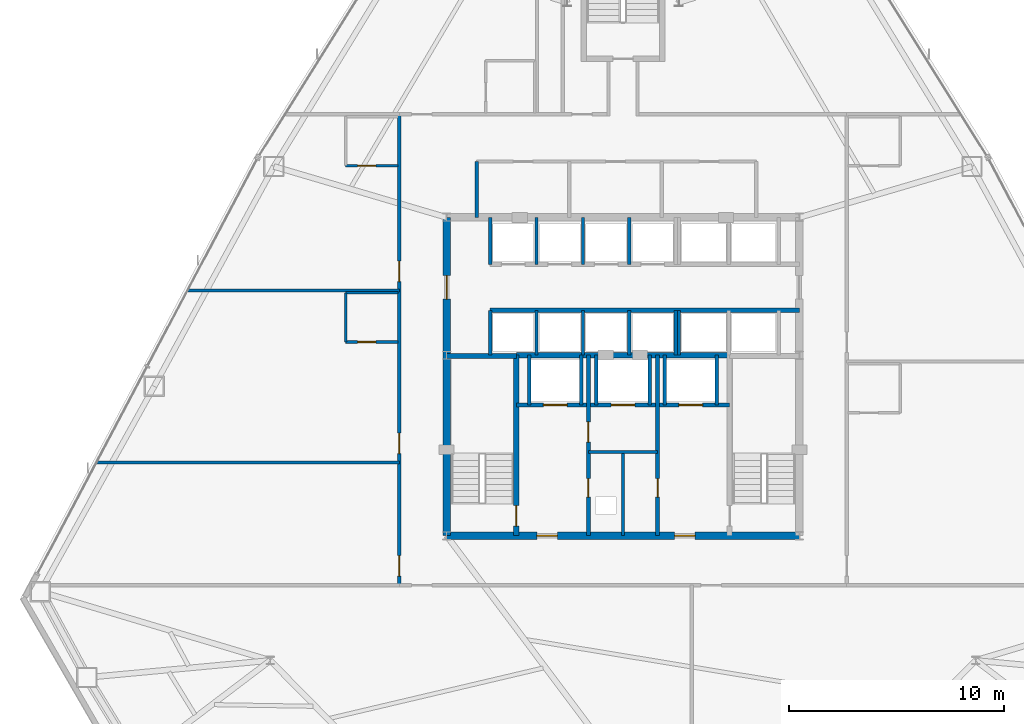
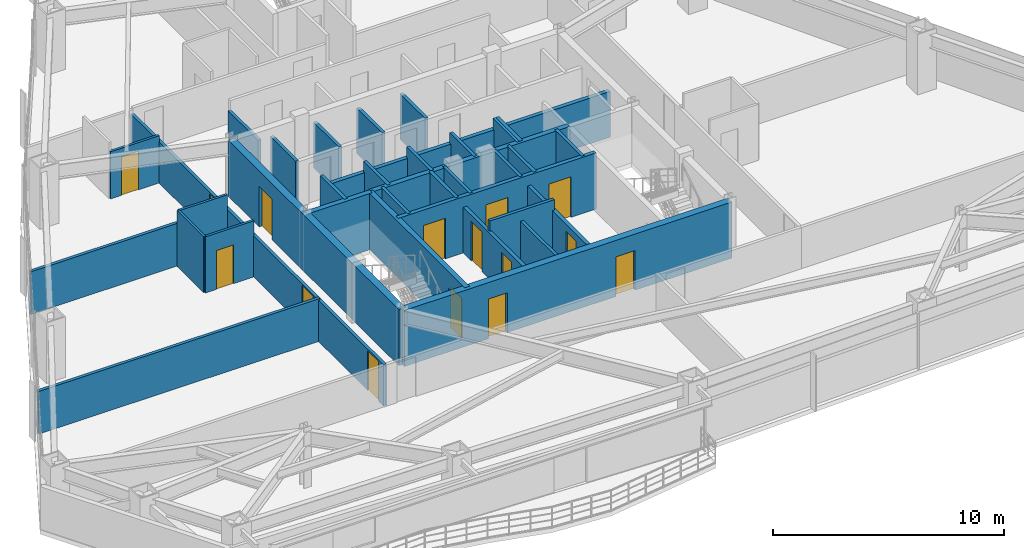
# One storey, part 9 of 13: 35 walls, 15 doors, 15 openings.
"""IFC4 building model written with IfcOpenShell, lengths in metres."""

from ifc_helpers import new_model, si_unit, direction, frame, frame_2d, origin, place, context, subcontext, project, spatial, rectangle, extrude, material, layer, layer_set, type_object, element, fill, save


model = new_model("IFC4")

# Units and contexts
model_context = context("Model", 3, precision=1e-05, world=origin(), true_north=direction((0.0, 1.0)))
body_context = subcontext(model_context, "Body", "Model", "MODEL_VIEW")
ifc_project = project(units=[si_unit("LENGTHUNIT", "METRE"), si_unit("AREAUNIT", "SQUARE_METRE"), si_unit("VOLUMEUNIT", "CUBIC_METRE"), si_unit("PLANEANGLEUNIT", "RADIAN"), si_unit("MASSUNIT", "GRAM", prefix="KILO")], contexts=[model_context])

# Site, building, storey
site_placement = place(None, origin())
site = spatial("IfcSite", under=ifc_project, at=site_placement, CompositionType="ELEMENT")
building_placement = place(site_placement, origin())
building = spatial("IfcBuilding", under=site, at=building_placement, Name="Varakhsha Concourse Tower", CompositionType="ELEMENT")
storey_placement = place(building_placement, frame((0.0, 0.0, 99.0)))
storey = spatial("IfcBuildingStorey", under=building, at=storey_placement, Name="L28", CompositionType="ELEMENT", Elevation=99.0)

# Wall, openings, doors
ifc_material_1 = material(Name="Concrete fc 65 MPa", Category="concrete")
ifc_layer_1 = layer(ifc_material_1, 0.35009765625, Name="WL-CORE-350")
ifc_layer_set_1 = layer_set([ifc_layer_1], Name="Concrete fc 65 MPa")
wall_type_1 = type_object("IfcWallType", Name="WL-CORE-350", PredefinedType="SHEAR", material=ifc_layer_set_1)
wall_1_placement = place(storey_placement, frame((31.800048828125, 16.39990234375, 0.0), z_axis=(0.0, 0.0, 1.0), x_axis=(1.0, 0.0, 0.0)))
wall_1 = element("IfcWall", 1, at=wall_1_placement, inside=storey, type_object=wall_type_1, Name="L28 Wall CWALL-S-L28", PredefinedType="SHEAR", context=body_context, shape_type="SweptSolid", body=[
    extrude(rectangle(XDim=16.39990234375, YDim=0.35009765625, at=frame_2d((8.199951171875, 0.0))), origin(), (0.0, 0.0, 1.0), 2.969970703125),
])
opening_1_placement = place(wall_1_placement, frame((4.199951171875, 0.0, 0.0)))
opening_1 = element("IfcOpeningElement", 2, at=opening_1_placement, cuts=wall_1, Name="Opening DF-05", PredefinedType="OPENING", context=body_context, shape_type="SweptSolid", body=[
    extrude(rectangle(XDim=0.949951171875, YDim=2.10009765625, at=frame_2d((0.47509765625, 1.050048828125))), frame((0.0, 0.18505859375, 0.0), z_axis=(0.0, -1.0, 0.0), x_axis=(1.0, 0.0, 0.0)), (0.0, 0.0, 1.0), 0.3701171875),
])
opening_2_placement = place(wall_1_placement, frame((10.60009765625, 0.0, 0.0)))
opening_2 = element("IfcOpeningElement", 3, at=opening_2_placement, cuts=wall_1, Name="Opening DF-05", PredefinedType="OPENING", context=body_context, shape_type="SweptSolid", body=[
    extrude(rectangle(XDim=0.949951171875, YDim=2.10009765625, at=frame_2d((0.47509765625, 1.050048828125))), frame((0.0, 0.18505859375, 0.0), z_axis=(0.0, -1.0, 0.0), x_axis=(1.0, 0.0, 0.0)), (0.0, 0.0, 1.0), 0.3701171875),
])
ifc_material_2 = material(Name="Hollow Galvanised Steel Fire Door Assembly", Category="steel")
door_type_1 = type_object("IfcDoorType", Name="DR-FD60-950", OperationType="NOTDEFINED", PredefinedType="DOOR", material=ifc_material_2)
door_1_placement = place(opening_1_placement, origin())
door_1 = element("IfcDoor", 4, at=door_1_placement, inside=storey, type_object=door_type_1, Name="L28 Firefighting Lobby West Door", OperationType="SINGLE_SWING_RIGHT", OverallHeight=2.10009765625, OverallWidth=0.949951171875, PredefinedType="DOOR", context=body_context, shape_type="SweptSolid", body=[
    extrude(rectangle(XDim=0.949951171875, YDim=2.10009765625, at=frame_2d((0.47509765625, 1.050048828125))), frame((0.0, 0.02490234375, 0.0), z_axis=(0.0, -1.0, 0.0), x_axis=(1.0, 0.0, 0.0)), (0.0, 0.0, 1.0), 0.050048828125),
])
fill(opening_1, door_1)
door_2_placement = place(opening_2_placement, origin())
door_2 = element("IfcDoor", 5, at=door_2_placement, inside=storey, type_object=door_type_1, Name="L28 Firefighting Lobby East Door", OperationType="SINGLE_SWING_LEFT", OverallHeight=2.10009765625, OverallWidth=0.949951171875, PredefinedType="DOOR", context=body_context, shape_type="SweptSolid", body=[
    extrude(rectangle(XDim=0.949951171875, YDim=2.10009765625, at=frame_2d((0.47509765625, 1.050048828125))), frame((0.0, 0.02490234375, 0.0), z_axis=(0.0, -1.0, 0.0), x_axis=(1.0, 0.0, 0.0)), (0.0, 0.0, 1.0), 0.050048828125),
])
fill(opening_2, door_2)

# Wall, opening, door
wall_2_placement = place(storey_placement, frame((31.800048828125, 16.39990234375, 0.0), z_axis=(0.0, 0.0, 1.0), x_axis=(0.0, 1.0, 0.0)))
wall_2 = element("IfcWall", 6, at=wall_2_placement, inside=storey, type_object=wall_type_1, Name="L28 Wall CWALL-W-L28", PredefinedType="SHEAR", context=body_context, shape_type="SweptSolid", body=[
    extrude(rectangle(XDim=14.800048828125, YDim=0.35009765625, at=frame_2d((7.39990234375, 0.0))), origin(), (0.0, 0.0, 1.0), 2.969970703125),
])
opening_3_placement = place(wall_2_placement, frame((11.0, 0.0, 0.0)))
opening_3 = element("IfcOpeningElement", 7, at=opening_3_placement, cuts=wall_2, Name="Opening DL-01", PredefinedType="OPENING", context=body_context, shape_type="SweptSolid", body=[
    extrude(rectangle(XDim=1.10009765625, YDim=2.14990234375, at=frame_2d((0.550048828125, 1.074951171875))), frame((0.0, 0.18505859375, 0.0), z_axis=(0.0, -1.0, 0.0), x_axis=(1.0, 0.0, 0.0)), (0.0, 0.0, 1.0), 0.3701171875),
])
ifc_material_3 = material(Name="Anodised Bronze Architectural Aluminium AA 6063-T6", Category="aluminium")
door_type_2 = type_object("IfcDoorType", Name="DR-LOB-1100", OperationType="NOTDEFINED", PredefinedType="DOOR", material=ifc_material_3)
door_3_placement = place(opening_3_placement, origin())
door_3 = element("IfcDoor", 8, at=door_3_placement, inside=storey, type_object=door_type_2, Name="L28 Lift Lobby West Concourse Door", OperationType="SINGLE_SWING_LEFT", OverallHeight=2.14990234375, OverallWidth=1.10009765625, PredefinedType="DOOR", context=body_context, shape_type="SweptSolid", body=[
    extrude(rectangle(XDim=1.10009765625, YDim=2.14990234375, at=frame_2d((0.550048828125, 1.074951171875))), frame((0.0, 0.02490234375, 0.0), z_axis=(0.0, -1.0, 0.0), x_axis=(1.0, 0.0, 0.0)), (0.0, 0.0, 1.0), 0.050048828125),
])
fill(opening_3, door_3)

# Wall, openings, doors
ifc_material_4 = material(Name="Fire-Rated Type X Gypsum Partition Assembly", Category="gypsum")
ifc_layer_2 = layer(ifc_material_4, 0.179931640625, Name="WL-FFLOB-180")
ifc_layer_set_2 = layer_set([ifc_layer_2], Name="Fire-Rated Type X Gypsum Partition Assembly")
wall_type_2 = type_object("IfcWallType", Name="WL-FFLOB-180", PredefinedType="PARTITIONING", material=ifc_layer_set_2)
wall_3_placement = place(storey_placement, frame((38.389892578125, 16.39990234375, 0.0), z_axis=(0.0, 0.0, 1.0), x_axis=(0.0, 1.0, 0.0)))
wall_3 = element("IfcWall", 9, at=wall_3_placement, inside=storey, type_object=wall_type_2, Name="L28 Wall FFW-1E-L28", PredefinedType="PARTITIONING", context=body_context, shape_type="SweptSolid", body=[
    extrude(rectangle(XDim=8.400146484375, YDim=0.179931640625, at=frame_2d((4.2001953125, 0.0))), origin(), (0.0, 0.0, 1.0), 2.4208984375),
])
opening_4_placement = place(wall_3_placement, frame((1.800048828125, 0.0, 0.0)))
opening_4 = element("IfcOpeningElement", 10, at=opening_4_placement, cuts=wall_3, Name="Opening DF-07", PredefinedType="OPENING", context=body_context, shape_type="SweptSolid", body=[
    extrude(rectangle(XDim=0.85009765625, YDim=2.050048828125, at=frame_2d((0.425048828125, 1.02490234375))), frame((0.0, 0.099853515625, 0.0), z_axis=(0.0, -1.0, 0.0), x_axis=(1.0, 0.0, 0.0)), (0.0, 0.0, 1.0), 0.199951171875),
])
opening_5_placement = place(wall_3_placement, frame((4.35009765625, 0.0, 0.0)))
opening_5 = element("IfcOpeningElement", 11, at=opening_5_placement, cuts=wall_3, Name="Opening DF-05", PredefinedType="OPENING", context=body_context, shape_type="SweptSolid", body=[
    extrude(rectangle(XDim=0.949951171875, YDim=2.10009765625, at=frame_2d((0.47509765625, 1.050048828125))), frame((0.0, 0.099853515625, 0.0), z_axis=(0.0, -1.0, 0.0), x_axis=(1.0, 0.0, 0.0)), (0.0, 0.0, 1.0), 0.199951171875),
])
door_type_3 = type_object("IfcDoorType", Name="DR-FD60-850", OperationType="NOTDEFINED", PredefinedType="DOOR", material=ifc_material_2)
door_4_placement = place(opening_4_placement, origin())
door_4 = element("IfcDoor", 12, at=door_4_placement, inside=storey, type_object=door_type_3, Name="L28 Power Metering Closet Door", OperationType="SINGLE_SWING_LEFT", OverallHeight=2.050048828125, OverallWidth=0.85009765625, PredefinedType="DOOR", context=body_context, shape_type="SweptSolid", body=[
    extrude(rectangle(XDim=0.85009765625, YDim=2.050048828125, at=frame_2d((0.425048828125, 1.02490234375))), frame((0.0, 0.02490234375, 0.0), z_axis=(0.0, -1.0, 0.0), x_axis=(1.0, 0.0, 0.0)), (0.0, 0.0, 1.0), 0.050048828125),
])
fill(opening_4, door_4)
door_5_placement = place(opening_5_placement, origin())
door_5 = element("IfcDoor", 13, at=door_5_placement, inside=storey, type_object=door_type_1, Name="L28 Service Vestibule Door", OperationType="SINGLE_SWING_RIGHT", OverallHeight=2.10009765625, OverallWidth=0.949951171875, PredefinedType="DOOR", context=body_context, shape_type="SweptSolid", body=[
    extrude(rectangle(XDim=0.949951171875, YDim=2.10009765625, at=frame_2d((0.47509765625, 1.050048828125))), frame((0.0, 0.02490234375, 0.0), z_axis=(0.0, -1.0, 0.0), x_axis=(1.0, 0.0, 0.0)), (0.0, 0.0, 1.0), 0.050048828125),
])
fill(opening_5, door_5)

# Wall, opening, door
wall_4_placement = place(storey_placement, frame((41.610107421875, 16.39990234375, 0.0), z_axis=(0.0, 0.0, 1.0), x_axis=(0.0, 1.0, 0.0)))
wall_4 = element("IfcWall", 14, at=wall_4_placement, inside=storey, type_object=wall_type_2, Name="L28 Wall FFW-2W-L28", PredefinedType="PARTITIONING", context=body_context, shape_type="SweptSolid", body=[
    extrude(rectangle(XDim=8.400146484375, YDim=0.179931640625, at=frame_2d((4.2001953125, 0.0))), origin(), (0.0, 0.0, 1.0), 2.4208984375),
])
opening_6_placement = place(wall_4_placement, frame((1.800048828125, 0.0, 0.0)))
opening_6 = element("IfcOpeningElement", 15, at=opening_6_placement, cuts=wall_4, Name="Opening DF-07", PredefinedType="OPENING", context=body_context, shape_type="SweptSolid", body=[
    extrude(rectangle(XDim=0.85009765625, YDim=2.050048828125, at=frame_2d((0.425048828125, 1.02490234375))), frame((0.0, 0.099853515625, 0.0), z_axis=(0.0, -1.0, 0.0), x_axis=(1.0, 0.0, 0.0)), (0.0, 0.0, 1.0), 0.199951171875),
])
door_6_placement = place(opening_6_placement, origin())
door_6 = element("IfcDoor", 16, at=door_6_placement, inside=storey, type_object=door_type_3, Name="L28 BMS Control Closet Door", OperationType="SINGLE_SWING_RIGHT", OverallHeight=2.050048828125, OverallWidth=0.85009765625, PredefinedType="DOOR", context=body_context, shape_type="SweptSolid", body=[
    extrude(rectangle(XDim=0.85009765625, YDim=2.050048828125, at=frame_2d((0.425048828125, 1.02490234375))), frame((0.0, 0.02490234375, 0.0), z_axis=(0.0, -1.0, 0.0), x_axis=(1.0, 0.0, 0.0)), (0.0, 0.0, 1.0), 0.050048828125),
])
fill(opening_6, door_6)

# Wall
ifc_material_5 = material(Name="Acoustic Gypsum Board Partition Assembly", Category="gypsum")
ifc_layer_3 = layer(ifc_material_5, 0.1201171875, Name="WL-PART-120")
ifc_layer_set_3 = layer_set([ifc_layer_3], Name="Acoustic Gypsum Board Partition Assembly")
wall_type_3 = type_object("IfcWallType", Name="WL-PART-120", PredefinedType="PARTITIONING", material=ifc_layer_set_3)
wall_5_placement = place(storey_placement, frame((27.110107421875, 25.409912109375, 0.0), z_axis=(0.0, 0.0, 1.0), x_axis=(0.0, 1.0, 0.0)))
element("IfcWall", 17, at=wall_5_placement, inside=storey, type_object=wall_type_3, Name="L28 Wall ENSW-W-L28-H04", PredefinedType="PARTITIONING", context=body_context, shape_type="SweptSolid", body=[
    extrude(rectangle(XDim=2.280029296875, YDim=0.1201171875, at=frame_2d((1.14013671875, 0.0))), origin(), (0.0, 0.0, 1.0), 2.969970703125),
])

# Wall, opening, door
wall_6_placement = place(storey_placement, frame((27.110107421875, 25.409912109375, 0.0), z_axis=(0.0, 0.0, 1.0), x_axis=(1.0, 0.0, 0.0)))
wall_6 = element("IfcWall", 18, at=wall_6_placement, inside=storey, type_object=wall_type_3, Name="L28 Wall ENSW-S-L28-H04", PredefinedType="PARTITIONING", context=body_context, shape_type="SweptSolid", body=[
    extrude(rectangle(XDim=2.429931640625, YDim=0.1201171875, at=frame_2d((1.21484375, 0.0))), origin(), (0.0, 0.0, 1.0), 2.969970703125),
])
opening_7_placement = place(wall_6_placement, frame((0.550048828125, 0.0, 0.0)))
opening_7 = element("IfcOpeningElement", 19, at=opening_7_placement, cuts=wall_6, Name="Opening DI-01", PredefinedType="OPENING", context=body_context, shape_type="SweptSolid", body=[
    extrude(rectangle(XDim=0.85009765625, YDim=2.050048828125, at=frame_2d((0.425048828125, 1.02490234375))), frame((0.0, 0.070068359375, 0.0), z_axis=(0.0, -1.0, 0.0), x_axis=(1.0, 0.0, 0.0)), (0.0, 0.0, 1.0), 0.14013671875),
])
ifc_material_6 = material(Name="Architectural Walnut Acoustic Timber Door", Category="wood")
door_type_4 = type_object("IfcDoorType", Name="DR-INT-850", OperationType="NOTDEFINED", PredefinedType="DOOR", material=ifc_material_6)
door_7_placement = place(opening_7_placement, origin())
door_7 = element("IfcDoor", 20, at=door_7_placement, inside=storey, type_object=door_type_4, Name="L28 En-suite Bathroom Door L28-H04", OperationType="SINGLE_SWING_RIGHT", OverallHeight=2.050048828125, OverallWidth=0.85009765625, PredefinedType="DOOR", context=body_context, shape_type="SweptSolid", body=[
    extrude(rectangle(XDim=0.85009765625, YDim=2.050048828125, at=frame_2d((0.425048828125, 1.02490234375))), frame((0.0, 0.02490234375, 0.0), z_axis=(0.0, -1.0, 0.0), x_axis=(1.0, 0.0, 0.0)), (0.0, 0.0, 1.0), 0.050048828125),
])
fill(opening_7, door_7)

# Wall
wall_7_placement = place(storey_placement, frame((27.110107421875, 27.68994140625, 0.0), z_axis=(0.0, 0.0, 1.0), x_axis=(1.0, 0.0, 0.0)))
element("IfcWall", 21, at=wall_7_placement, inside=storey, type_object=wall_type_3, Name="L28 Wall ENSW-N-L28-H04", PredefinedType="PARTITIONING", context=body_context, shape_type="SweptSolid", body=[
    extrude(rectangle(XDim=2.429931640625, YDim=0.1201171875, at=frame_2d((1.21484375, 0.0))), origin(), (0.0, 0.0, 1.0), 2.969970703125),
])

# Wall, opening, door
wall_8_placement = place(storey_placement, frame((27.110107421875, 33.610107421875, 0.0), z_axis=(0.0, 0.0, 1.0), x_axis=(1.0, 0.0, 0.0)))
wall_8 = element("IfcWall", 22, at=wall_8_placement, inside=storey, type_object=wall_type_3, Name="L28 Wall ENSW-S-L28-H05", PredefinedType="PARTITIONING", context=body_context, shape_type="SweptSolid", body=[
    extrude(rectangle(XDim=2.429931640625, YDim=0.1201171875, at=frame_2d((1.21484375, 0.0))), origin(), (0.0, 0.0, 1.0), 2.5029296875),
])
opening_8_placement = place(wall_8_placement, frame((0.550048828125, 0.0, 0.0)))
opening_8 = element("IfcOpeningElement", 23, at=opening_8_placement, cuts=wall_8, Name="Opening DI-01", PredefinedType="OPENING", context=body_context, shape_type="SweptSolid", body=[
    extrude(rectangle(XDim=0.85009765625, YDim=2.050048828125, at=frame_2d((0.425048828125, 1.02490234375))), frame((0.0, 0.070068359375, 0.0), z_axis=(0.0, -1.0, 0.0), x_axis=(1.0, 0.0, 0.0)), (0.0, 0.0, 1.0), 0.14013671875),
])
door_8_placement = place(opening_8_placement, origin())
door_8 = element("IfcDoor", 24, at=door_8_placement, inside=storey, type_object=door_type_4, Name="L28 En-suite Bathroom Door L28-H05", OperationType="SINGLE_SWING_RIGHT", OverallHeight=2.050048828125, OverallWidth=0.85009765625, PredefinedType="DOOR", context=body_context, shape_type="SweptSolid", body=[
    extrude(rectangle(XDim=0.85009765625, YDim=2.050048828125, at=frame_2d((0.425048828125, 1.02490234375))), frame((0.0, 0.02490234375, 0.0), z_axis=(0.0, -1.0, 0.0), x_axis=(1.0, 0.0, 0.0)), (0.0, 0.0, 1.0), 0.050048828125),
])
fill(opening_8, door_8)

# Walls
ifc_layer_4 = layer(ifc_material_4, 0.14990234375, Name="WL-PART-150")
ifc_layer_set_4 = layer_set([ifc_layer_4], Name="Fire-Rated Type X Gypsum Partition Assembly")
wall_type_4 = type_object("IfcWallType", Name="WL-PART-150", PredefinedType="PARTITIONING", material=ifc_layer_set_4)
wall_9_placement = place(storey_placement, frame((38.389892578125, 20.300048828125, 0.0), z_axis=(0.0, 0.0, 1.0), x_axis=(1.0, 0.0, 0.0)))
element("IfcWall", 25, at=wall_9_placement, inside=storey, type_object=wall_type_4, Name="L28 Wall RSW-TH-L28", PredefinedType="PARTITIONING", context=body_context, shape_type="SweptSolid", body=[
    extrude(rectangle(XDim=3.22021484375, YDim=0.14990234375, at=frame_2d((1.610107421875, 0.0))), origin(), (0.0, 0.0, 1.0), 2.969970703125),
])
wall_10_placement = place(storey_placement, frame((40.0, 16.39990234375, 0.0), z_axis=(0.0, 0.0, 1.0), x_axis=(0.0, 1.0, 0.0)))
element("IfcWall", 26, at=wall_10_placement, inside=storey, type_object=wall_type_4, Name="L28 Wall RSW-TV-L28", PredefinedType="PARTITIONING", context=body_context, shape_type="SweptSolid", body=[
    extrude(rectangle(XDim=3.900146484375, YDim=0.14990234375, at=frame_2d((1.9501953125, 0.0))), origin(), (0.0, 0.0, 1.0), 2.4208984375),
])
wall_11_placement = place(storey_placement, frame((33.199951171875, 31.199951171875, 0.0), z_axis=(0.0, 0.0, 1.0), x_axis=(0.0, 1.0, 0.0)))
element("IfcWall", 27, at=wall_11_placement, inside=storey, type_object=wall_type_4, Name="L28 Wall NBOH-W-L28", PredefinedType="PARTITIONING", context=body_context, shape_type="SweptSolid", body=[
    extrude(rectangle(XDim=2.60009765625, YDim=0.14990234375, at=frame_2d((1.300048828125, 0.0))), origin(), (0.0, 0.0, 1.0), 2.4208984375),
])

# Wall, openings, doors
wall_12_placement = place(storey_placement, frame((29.60009765625, 14.10009765625, 0.0), z_axis=(0.0, 0.0, 1.0), x_axis=(0.0, 1.0, 0.0)))
wall_12 = element("IfcWall", 28, at=wall_12_placement, inside=storey, type_object=wall_type_4, Name="L28 Wall CRW-W-L28", PredefinedType="PARTITIONING", context=body_context, shape_type="SweptSolid", body=[
    extrude(rectangle(XDim=21.89990234375, YDim=0.14990234375, at=frame_2d((10.949951171875, 0.0))), origin(), (0.0, 0.0, 1.0), 2.180908203125),
])
opening_9_placement = place(wall_12_placement, frame((0.419921875, 0.0, 0.0)))
opening_9 = element("IfcOpeningElement", 29, at=opening_9_placement, cuts=wall_12, Name="Opening DF-05", PredefinedType="OPENING", context=body_context, shape_type="SweptSolid", body=[
    extrude(rectangle(XDim=0.949951171875, YDim=2.10009765625, at=frame_2d((0.47509765625, 1.050048828125))), frame((0.0, 0.0849609375, 0.0), z_axis=(0.0, -1.0, 0.0), x_axis=(1.0, 0.0, 0.0)), (0.0, 0.0, 1.0), 0.169921875),
])
opening_10_placement = place(wall_12_placement, frame((6.1201171875, 0.0, 0.0)))
opening_10 = element("IfcOpeningElement", 30, at=opening_10_placement, cuts=wall_12, Name="Opening DF-05", PredefinedType="OPENING", context=body_context, shape_type="SweptSolid", body=[
    extrude(rectangle(XDim=0.949951171875, YDim=2.10009765625, at=frame_2d((0.47509765625, 1.050048828125))), frame((0.0, 0.0849609375, 0.0), z_axis=(0.0, -1.0, 0.0), x_axis=(1.0, 0.0, 0.0)), (0.0, 0.0, 1.0), 0.169921875),
])
opening_11_placement = place(wall_12_placement, frame((14.1201171875, 0.0, 0.0)))
opening_11 = element("IfcOpeningElement", 31, at=opening_11_placement, cuts=wall_12, Name="Opening DF-05", PredefinedType="OPENING", context=body_context, shape_type="SweptSolid", body=[
    extrude(rectangle(XDim=0.949951171875, YDim=2.10009765625, at=frame_2d((0.47509765625, 1.050048828125))), frame((0.0, 0.0849609375, 0.0), z_axis=(0.0, -1.0, 0.0), x_axis=(1.0, 0.0, 0.0)), (0.0, 0.0, 1.0), 0.169921875),
])
door_9_placement = place(opening_9_placement, origin())
door_9 = element("IfcDoor", 32, at=door_9_placement, inside=storey, type_object=door_type_1, Name="L28 Hospitality Conservatory Lounge L28-H03 Door", OperationType="SINGLE_SWING_LEFT", OverallHeight=2.10009765625, OverallWidth=0.949951171875, PredefinedType="DOOR", context=body_context, shape_type="SweptSolid", body=[
    extrude(rectangle(XDim=0.949951171875, YDim=2.10009765625, at=frame_2d((0.47509765625, 1.050048828125))), frame((0.0, 0.02490234375, 0.0), z_axis=(0.0, -1.0, 0.0), x_axis=(1.0, 0.0, 0.0)), (0.0, 0.0, 1.0), 0.050048828125),
])
fill(opening_9, door_9)
door_10_placement = place(opening_10_placement, origin())
door_10 = element("IfcDoor", 33, at=door_10_placement, inside=storey, type_object=door_type_1, Name="L28 Hotel Corner Suite L28-H04 Entry Door", OperationType="SINGLE_SWING_RIGHT", OverallHeight=2.10009765625, OverallWidth=0.949951171875, PredefinedType="DOOR", context=body_context, shape_type="SweptSolid", body=[
    extrude(rectangle(XDim=0.949951171875, YDim=2.10009765625, at=frame_2d((0.47509765625, 1.050048828125))), frame((0.0, 0.02490234375, 0.0), z_axis=(0.0, -1.0, 0.0), x_axis=(1.0, 0.0, 0.0)), (0.0, 0.0, 1.0), 0.050048828125),
])
fill(opening_10, door_10)
door_11_placement = place(opening_11_placement, origin())
door_11 = element("IfcDoor", 34, at=door_11_placement, inside=storey, type_object=door_type_1, Name="L28 Hotel Corner Suite L28-H05 Entry Door", OperationType="SINGLE_SWING_LEFT", OverallHeight=2.10009765625, OverallWidth=0.949951171875, PredefinedType="DOOR", context=body_context, shape_type="SweptSolid", body=[
    extrude(rectangle(XDim=0.949951171875, YDim=2.10009765625, at=frame_2d((0.47509765625, 1.050048828125))), frame((0.0, 0.02490234375, 0.0), z_axis=(0.0, -1.0, 0.0), x_axis=(1.0, 0.0, 0.0)), (0.0, 0.0, 1.0), 0.050048828125),
])
fill(opening_11, door_11)

# Walls
wall_13_placement = place(storey_placement, frame((15.52001953125, 19.800048828125, 0.0), z_axis=(0.0, 0.0, 1.0), x_axis=(1.0, 0.0, 0.0)))
element("IfcWall", 35, at=wall_13_placement, inside=storey, type_object=wall_type_4, Name="L28 Wall HDIV-W1-L28", PredefinedType="PARTITIONING", context=body_context, shape_type="SweptSolid", body=[
    extrude(rectangle(XDim=14.080078125, YDim=0.14990234375, at=frame_2d((7.0400390625, 0.0))), origin(), (0.0, 0.0, 1.0), 2.258056640625),
])
wall_14_placement = place(storey_placement, frame((19.758056640625, 27.800048828125, 0.0), z_axis=(0.0, 0.0, 1.0), x_axis=(1.0, 0.0, 0.0)))
element("IfcWall", 36, at=wall_14_placement, inside=storey, type_object=wall_type_4, Name="L28 Wall HDIV-W2-L28", PredefinedType="PARTITIONING", context=body_context, shape_type="SweptSolid", body=[
    extrude(rectangle(XDim=9.842041015625, YDim=0.14990234375, at=frame_2d((4.9208984375, 0.0))), origin(), (0.0, 0.0, 1.0), 2.258056640625),
])

# Wall, openings, doors
ifc_layer_5 = layer(ifc_material_4, 0.199951171875, Name="WL-SHAFT-220")
ifc_layer_set_5 = layer_set([ifc_layer_5], Name="Fire-Rated Type X Gypsum Partition Assembly")
wall_type_5 = type_object("IfcWallType", Name="WL-SHAFT-220", PredefinedType="SOLIDWALL", material=ifc_layer_set_5)
wall_15_placement = place(storey_placement, frame((35.044921875, 22.47998046875, 0.0), z_axis=(0.0, 0.0, 1.0), x_axis=(1.0, 0.0, 0.0)))
wall_15 = element("IfcWall", 37, at=wall_15_placement, inside=storey, type_object=wall_type_5, Name="L28 Wall FFW-NH-L28", PredefinedType="SOLIDWALL", context=body_context, shape_type="SweptSolid", body=[
    extrude(rectangle(XDim=9.91015625, YDim=0.199951171875, at=frame_2d((4.955078125, 0.0))), origin(), (0.0, 0.0, 1.0), 2.969970703125),
])
opening_12_placement = place(wall_15_placement, frame((1.2548828125, 0.0, 0.0)))
opening_12 = element("IfcOpeningElement", 38, at=opening_12_placement, cuts=wall_15, Name="Opening LD-FFL-1", PredefinedType="OPENING", context=body_context, shape_type="SweptSolid", body=[
    extrude(rectangle(XDim=1.10009765625, YDim=2.14990234375, at=frame_2d((0.550048828125, 1.074951171875))), frame((0.0, 0.10986328125, 0.0), z_axis=(0.0, -1.0, 0.0), x_axis=(1.0, 0.0, 0.0)), (0.0, 0.0, 1.0), 0.219970703125),
])
opening_13_placement = place(wall_15_placement, frame((7.554931640625, 0.0, 0.0)))
opening_13 = element("IfcOpeningElement", 39, at=opening_13_placement, cuts=wall_15, Name="Opening LD-FFL-2", PredefinedType="OPENING", context=body_context, shape_type="SweptSolid", body=[
    extrude(rectangle(XDim=1.10009765625, YDim=2.14990234375, at=frame_2d((0.550048828125, 1.074951171875))), frame((0.0, 0.10986328125, 0.0), z_axis=(0.0, -1.0, 0.0), x_axis=(1.0, 0.0, 0.0)), (0.0, 0.0, 1.0), 0.219970703125),
])
opening_14_placement = place(wall_15_placement, frame((4.405029296875, 0.0, 0.0)))
opening_14 = element("IfcOpeningElement", 40, at=opening_14_placement, cuts=wall_15, Name="Opening LD-SVL-1", PredefinedType="OPENING", context=body_context, shape_type="SweptSolid", body=[
    extrude(rectangle(XDim=1.10009765625, YDim=2.14990234375, at=frame_2d((0.550048828125, 1.074951171875))), frame((0.0, 0.10986328125, 0.0), z_axis=(0.0, -1.0, 0.0), x_axis=(1.0, 0.0, 0.0)), (0.0, 0.0, 1.0), 0.219970703125),
])
ifc_material_7 = material(Name="Brushed Austenitic Stainless Steel AISI 316", Category="steel")
door_type_5 = type_object("IfcDoorType", Name="DR-LD-1100", OperationType="DOUBLE_DOOR_SLIDING", PredefinedType="DOOR", material=ifc_material_7)
door_12_placement = place(opening_12_placement, origin())
door_12 = element("IfcDoor", 41, at=door_12_placement, inside=storey, type_object=door_type_5, Name="Lift Landing Door FFL-1 L28", OperationType="DOUBLE_DOOR_SLIDING", OverallHeight=2.14990234375, OverallWidth=1.10009765625, PredefinedType="DOOR", context=body_context, shape_type="SweptSolid", body=[
    extrude(rectangle(XDim=1.10009765625, YDim=2.14990234375, at=frame_2d((0.550048828125, 1.074951171875))), frame((0.0, 0.02490234375, 0.0), z_axis=(0.0, -1.0, 0.0), x_axis=(1.0, 0.0, 0.0)), (0.0, 0.0, 1.0), 0.050048828125),
])
fill(opening_12, door_12)
door_13_placement = place(opening_13_placement, origin())
door_13 = element("IfcDoor", 42, at=door_13_placement, inside=storey, type_object=door_type_5, Name="Lift Landing Door FFL-2 L28", OperationType="DOUBLE_DOOR_SLIDING", OverallHeight=2.14990234375, OverallWidth=1.10009765625, PredefinedType="DOOR", context=body_context, shape_type="SweptSolid", body=[
    extrude(rectangle(XDim=1.10009765625, YDim=2.14990234375, at=frame_2d((0.550048828125, 1.074951171875))), frame((0.0, 0.02490234375, 0.0), z_axis=(0.0, -1.0, 0.0), x_axis=(1.0, 0.0, 0.0)), (0.0, 0.0, 1.0), 0.050048828125),
])
fill(opening_13, door_13)
door_14_placement = place(opening_14_placement, origin())
door_14 = element("IfcDoor", 43, at=door_14_placement, inside=storey, type_object=door_type_5, Name="Lift Landing Door SVL-1 L28", OperationType="DOUBLE_DOOR_SLIDING", OverallHeight=2.14990234375, OverallWidth=1.10009765625, PredefinedType="DOOR", context=body_context, shape_type="SweptSolid", body=[
    extrude(rectangle(XDim=1.10009765625, YDim=2.14990234375, at=frame_2d((0.550048828125, 1.074951171875))), frame((0.0, 0.02490234375, 0.0), z_axis=(0.0, -1.0, 0.0), x_axis=(1.0, 0.0, 0.0)), (0.0, 0.0, 1.0), 0.050048828125),
])
fill(opening_14, door_14)

# Walls
for number, where, z_axis, x_axis, name in (
    (44, (35.64990234375, 22.47998046875, 0.0), (0.0, 0.0, 1.0), (0.0, 1.0, 0.0), "L28 Wall SHW-FFL-1-W-L28"),
    (45, (38.050048828125, 22.47998046875, 0.0), (0.0, 0.0, 1.0), (0.0, 1.0, 0.0), "L28 Wall SHW-FFL-1-E-L28"),
    (46, (41.949951171875, 22.47998046875, 0.0), (0.0, 0.0, 1.0), (0.0, 1.0, 0.0), "L28 Wall SHW-FFL-2-W-L28"),
    (47, (44.35009765625, 22.47998046875, 0.0), (0.0, 0.0, 1.0), (0.0, 1.0, 0.0), "L28 Wall SHW-FFL-2-E-L28"),
    (48, (38.75, 22.47998046875, 0.0), (0.0, 0.0, 1.0), (0.0, 1.0, 0.0), "L28 Wall SHW-SVL-1-W-L28"),
    (49, (41.25, 22.47998046875, 0.0), (0.0, 0.0, 1.0), (0.0, 1.0, 0.0), "L28 Wall SHW-SVL-1-E-L28"),
):
    element("IfcWall", number, at=place(storey_placement, frame(where, z_axis=z_axis, x_axis=x_axis)), inside=storey, type_object=wall_type_5, Name=name, PredefinedType="SOLIDWALL", context=body_context, shape_type="SweptSolid", body=[
        extrude(rectangle(XDim=2.320068359375, YDim=0.159912109375, at=frame_2d((1.16015625, 0.0))), origin(), (0.0, 0.0, 1.0), 2.969970703125),
    ])
wall_16_placement = place(storey_placement, frame((33.820068359375, 26.8798828125, 0.0), z_axis=(0.0, 0.0, 1.0), x_axis=(1.0, 0.0, 0.0)))
element("IfcWall", 50, at=wall_16_placement, inside=storey, type_object=wall_type_5, Name="L28 Wall PLW-S-L28", PredefinedType="SOLIDWALL", context=body_context, shape_type="SweptSolid", body=[
    extrude(rectangle(XDim=14.3798828125, YDim=0.199951171875, at=frame_2d((7.18994140625, 0.0))), origin(), (0.0, 0.0, 1.0), 2.4208984375),
])
wall_17_placement = place(storey_placement, frame((33.820068359375, 29.02001953125, 0.0), z_axis=(0.0, 0.0, 1.0), x_axis=(0.0, 1.0, 0.0)))
element("IfcWall", 51, at=wall_17_placement, inside=storey, type_object=wall_type_5, Name="L28 Wall WBOH-E1-L28", PredefinedType="SOLIDWALL", context=body_context, shape_type="SweptSolid", body=[
    extrude(rectangle(XDim=2.179931640625, YDim=0.159912109375, at=frame_2d((1.08984375, 0.0))), origin(), (0.0, 0.0, 1.0), 2.4208984375),
])
wall_18_placement = place(storey_placement, frame((33.820068359375, 24.800048828125, 0.0), z_axis=(0.0, 0.0, 1.0), x_axis=(0.0, 1.0, 0.0)))
element("IfcWall", 52, at=wall_18_placement, inside=storey, type_object=wall_type_5, Name="L28 Wall WBOH-E2-L28", PredefinedType="SOLIDWALL", context=body_context, shape_type="SweptSolid", body=[
    extrude(rectangle(XDim=2.079833984375, YDim=0.159912109375, at=frame_2d((1.0400390625, 0.0))), origin(), (0.0, 0.0, 1.0), 2.969970703125),
])
for number, where, z_axis, x_axis, name in (
    (53, (35.97998046875, 29.02001953125, 0.0), (0.0, 0.0, 1.0), (0.0, 1.0, 0.0), "L28 Wall SHW-LF-P01-E-L28"),
    (54, (38.139892578125, 29.02001953125, 0.0), (0.0, 0.0, 1.0), (0.0, 1.0, 0.0), "L28 Wall SHW-LF-P02-E-L28"),
    (55, (40.300048828125, 29.02001953125, 0.0), (0.0, 0.0, 1.0), (0.0, 1.0, 0.0), "L28 Wall SHW-LF-P03-E-L28"),
):
    element("IfcWall", number, at=place(storey_placement, frame(where, z_axis=z_axis, x_axis=x_axis)), inside=storey, type_object=wall_type_5, Name=name, PredefinedType="SOLIDWALL", context=body_context, shape_type="SweptSolid", body=[
        extrude(rectangle(XDim=2.179931640625, YDim=0.159912109375, at=frame_2d((1.08984375, 0.0))), origin(), (0.0, 0.0, 1.0), 2.4208984375),
    ])
for number, where, z_axis, x_axis, name in (
    (56, (35.97998046875, 24.800048828125, 0.0), (0.0, 0.0, 1.0), (0.0, 1.0, 0.0), "L28 Wall SHW-LF-P05-E-L28"),
    (57, (38.139892578125, 24.800048828125, 0.0), (0.0, 0.0, 1.0), (0.0, 1.0, 0.0), "L28 Wall SHW-LF-P06-E-L28"),
    (58, (40.300048828125, 24.800048828125, 0.0), (0.0, 0.0, 1.0), (0.0, 1.0, 0.0), "L28 Wall SHW-LF-P07-E-L28"),
    (59, (42.4599609375, 24.800048828125, 0.0), (0.0, 0.0, 1.0), (0.0, 1.0, 0.0), "L28 Wall SHW-LF-P08-E-L28"),
    (60, (42.60009765625, 24.800048828125, 0.0), (0.0, 0.0, 1.0), (0.0, 1.0, 0.0), "L28 Wall SHW-LF-P11-W-L28"),
):
    element("IfcWall", number, at=place(storey_placement, frame(where, z_axis=z_axis, x_axis=x_axis)), inside=storey, type_object=wall_type_5, Name=name, PredefinedType="SOLIDWALL", context=body_context, shape_type="SweptSolid", body=[
        extrude(rectangle(XDim=2.079833984375, YDim=0.159912109375, at=frame_2d((1.0400390625, 0.0))), origin(), (0.0, 0.0, 1.0), 2.969970703125),
    ])

# Wall, opening, door
ifc_material_8 = material(Name="Concrete fc 45 MPa", Category="concrete")
ifc_layer_6 = layer(ifc_material_8, 0.25, Name="WL-STAIR-250")
ifc_layer_set_6 = layer_set([ifc_layer_6], Name="Concrete fc 45 MPa")
wall_type_6 = type_object("IfcWallType", Name="WL-STAIR-250", PredefinedType="SHEAR", material=ifc_layer_set_6)
wall_19_placement = place(storey_placement, frame((35.044921875, 16.39990234375, 0.0), z_axis=(0.0, 0.0, 1.0), x_axis=(0.0, 1.0, 0.0)))
wall_19 = element("IfcWall", 61, at=wall_19_placement, inside=storey, type_object=wall_type_6, Name="L28 Wall SWALL-ST1-E-L28", PredefinedType="SHEAR", context=body_context, shape_type="SweptSolid", body=[
    extrude(rectangle(XDim=8.400146484375, YDim=0.25, at=frame_2d((4.2001953125, 0.0))), origin(), (0.0, 0.0, 1.0), 2.969970703125),
])
opening_15_placement = place(wall_19_placement, frame((0.449951171875, 0.0, 0.0)))
opening_15 = element("IfcOpeningElement", 62, at=opening_15_placement, cuts=wall_19, Name="Opening DF-03", PredefinedType="OPENING", context=body_context, shape_type="SweptSolid", body=[
    extrude(rectangle(XDim=0.949951171875, YDim=2.10009765625, at=frame_2d((0.47509765625, 1.050048828125))), frame((0.0, 0.135009765625, 0.0), z_axis=(0.0, -1.0, 0.0), x_axis=(1.0, 0.0, 0.0)), (0.0, 0.0, 1.0), 0.27001953125),
])
door_type_6 = type_object("IfcDoorType", Name="DR-FD90-950", OperationType="NOTDEFINED", PredefinedType="DOOR", material=ifc_material_2)
door_15_placement = place(opening_15_placement, origin())
door_15 = element("IfcDoor", 63, at=door_15_placement, inside=storey, type_object=door_type_6, Name="L28 Stair ST1 Fire Door", OperationType="SINGLE_SWING_LEFT", OverallHeight=2.10009765625, OverallWidth=0.949951171875, PredefinedType="DOOR", context=body_context, shape_type="SweptSolid", body=[
    extrude(rectangle(XDim=0.949951171875, YDim=2.10009765625, at=frame_2d((0.47509765625, 1.050048828125))), frame((0.0, 0.02490234375, 0.0), z_axis=(0.0, -1.0, 0.0), x_axis=(1.0, 0.0, 0.0)), (0.0, 0.0, 1.0), 0.050048828125),
])
fill(opening_15, door_15)

# Walls
wall_20_placement = place(storey_placement, frame((31.800048828125, 24.7548828125, 0.0), z_axis=(0.0, 0.0, 1.0), x_axis=(1.0, 0.0, 0.0)))
element("IfcWall", 64, at=wall_20_placement, inside=storey, type_object=wall_type_6, Name="L28 Wall SWALL-ST1-N-L28", PredefinedType="SHEAR", context=body_context, shape_type="SweptSolid", body=[
    extrude(rectangle(XDim=3.244873046875, YDim=0.25, at=frame_2d((1.62255859375, 0.0))), origin(), (0.0, 0.0, 1.0), 2.969970703125),
])
wall_21_placement = place(storey_placement, frame((35.044921875, 24.800048828125, 0.0), z_axis=(0.0, 0.0, 1.0), x_axis=(1.0, 0.0, 0.0)))
element("IfcWall", 65, at=wall_21_placement, inside=storey, type_object=wall_type_6, Name="L28 Wall SWALL-MID-H-L28", PredefinedType="SHEAR", context=body_context, shape_type="SweptSolid", body=[
    extrude(rectangle(XDim=9.91015625, YDim=0.25, at=frame_2d((4.955078125, 0.0))), origin(), (0.0, 0.0, 1.0), 2.969970703125),
])

save(model, "model.ifc")
